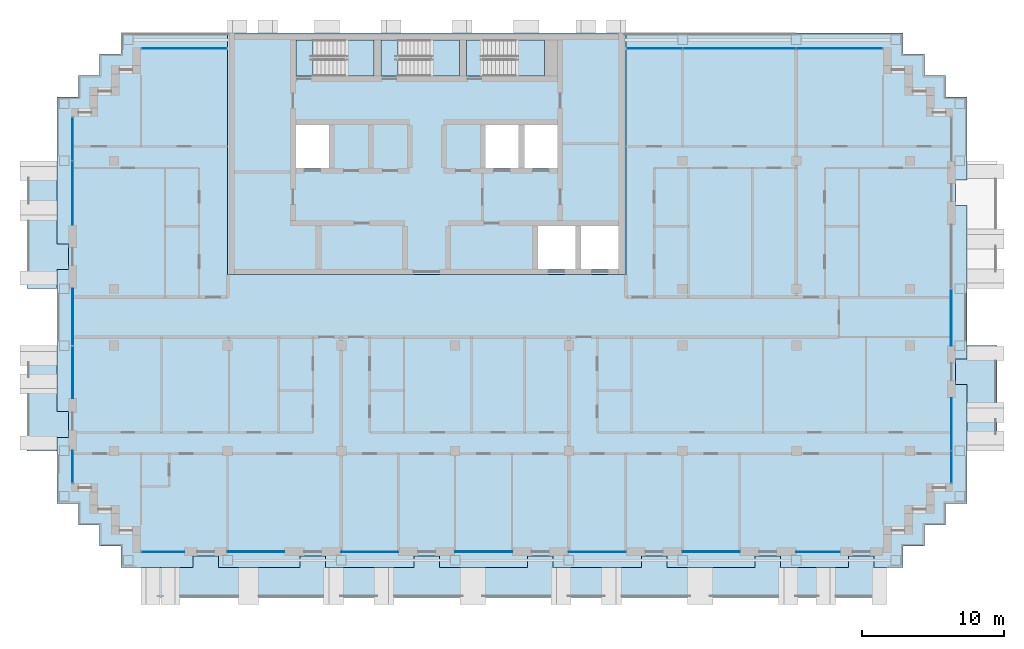
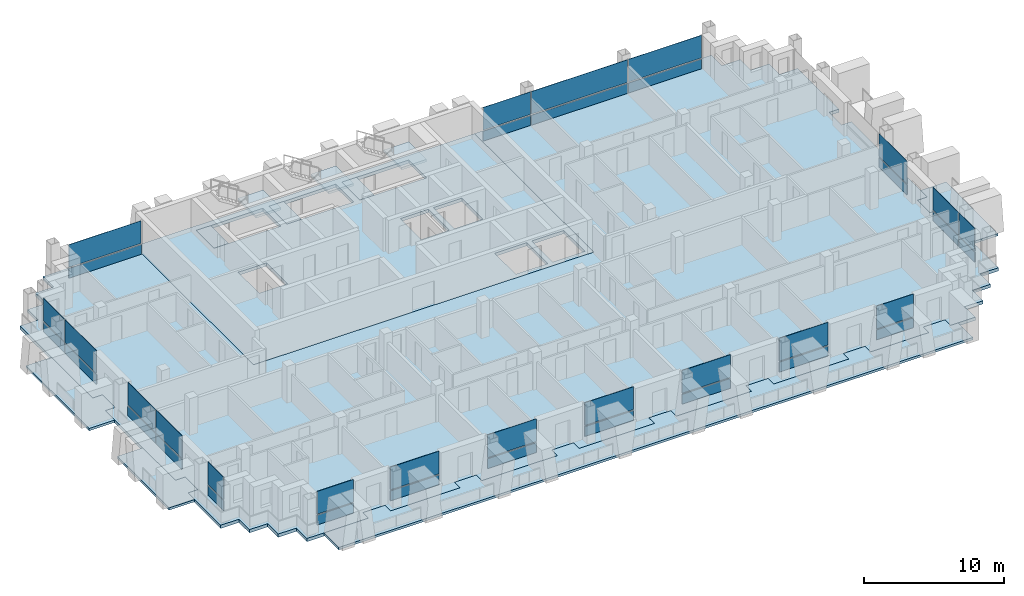
# One storey, part 6 of 16: 38 plates, 12 slabs, 17 elements without a shape of their own.
"""IFC4 building model written with IfcOpenShell, lengths in metres."""

from ifc_helpers import new_model, si_unit, direction, frame, origin, origin_2d, place, context, subcontext, project, spatial, polyline, rectangle, outline, extrude, material, layer, layer_set, type_object, element, aggregate, save


model = new_model("IFC4")

# Units and contexts
model_context = context("Model", 3, precision=1e-05, world=origin(), true_north=direction((0.0, 1.0)))
body_context = subcontext(model_context, "Body", "Model", "MODEL_VIEW")
ifc_project = project(units=[si_unit("LENGTHUNIT", "METRE"), si_unit("AREAUNIT", "SQUARE_METRE"), si_unit("VOLUMEUNIT", "CUBIC_METRE"), si_unit("PLANEANGLEUNIT", "RADIAN"), si_unit("MASSUNIT", "GRAM", prefix="KILO")], contexts=[model_context])

# Site, building, storey
site_placement = place(None, origin())
site = spatial("IfcSite", under=ifc_project, at=site_placement, CompositionType="ELEMENT")
building_placement = place(site_placement, origin())
building = spatial("IfcBuilding", under=site, at=building_placement, Name="Vidyagriha Tower", CompositionType="ELEMENT")
storey_placement = place(building_placement, frame((0.0, 0.0, 165.300048828125)))
storey = spatial("IfcBuildingStorey", under=building, at=storey_placement, Name="L42", CompositionType="ELEMENT", Elevation=165.300048828125)

# Curtain wall, plates
ifc_material_1 = material(Name="Aluminium and glass curtain wall", Category="aluminium")
curtain_wall_type = type_object("IfcCurtainWallType", Name="Dwelling skin unitised curtain wall", PredefinedType="USERDEFINED", material=ifc_material_1)
curtain_wall_1_placement = place(storey_placement, origin())
curtain_wall_1 = element("IfcCurtainWall", 1, at=curtain_wall_1_placement, inside=storey, type_object=curtain_wall_type, Name="CW1 dwelling skin", ObjectType="UNITISED", PredefinedType="USERDEFINED")
ifc_material_2 = material(Name="Glass dark ceramic-fritted spandrel", Category="glass")
ifc_layer_1 = layer(ifc_material_2, 0.0400390625)
ifc_layer_set_1 = layer_set([ifc_layer_1], Name="Glass dark ceramic-fritted spandrel")
plate_type_1 = type_object("IfcPlateType", Name="Ceramic-fritted spandrel panel", PredefinedType="CURTAIN_PANEL", material=ifc_layer_set_1)
plate_1_placement = place(storey_placement, frame((29.032470703125, 18.89990234375, 0.0), z_axis=(0.0, 0.0, 1.0), x_axis=(-1.0, 0.0, 0.0)))
plate_1 = element("IfcPlate", 2, at=plate_1_placement, type_object=plate_type_1, Name="CW1 panel 1.1", PredefinedType="CURTAIN_PANEL", context=body_context, shape_type="SweptSolid", body=[
    extrude(rectangle(XDim=5.9951171875, YDim=0.0400390625, at=origin_2d()), origin(), (0.0, 0.0, 1.0), 0.85009765625),
])
plate_2_placement = place(storey_placement, frame((16.017578125, 18.89990234375, 0.0), z_axis=(0.0, 0.0, 1.0), x_axis=(-1.0, 0.0, 0.0)))
plate_2 = element("IfcPlate", 3, at=plate_2_placement, type_object=plate_type_1, Name="CW1 panel 3.1", PredefinedType="CURTAIN_PANEL", context=body_context, shape_type="SweptSolid", body=[
    extrude(rectangle(XDim=3.89501953125, YDim=0.0400390625, at=origin_2d()), origin(), (0.0, 0.0, 1.0), 0.85009765625),
])

# Curtain wall, plate
curtain_wall_2_placement = place(storey_placement, origin())
curtain_wall_2 = element("IfcCurtainWall", 4, at=curtain_wall_2_placement, inside=storey, type_object=curtain_wall_type, Name="CW1 dwelling skin", ObjectType="UNITISED", PredefinedType="USERDEFINED")
plate_3_placement = place(storey_placement, frame((-17.050048828125, 18.89990234375, 0.0), z_axis=(0.0, 0.0, 1.0), x_axis=(-1.0, 0.0, 0.0)))
plate_3 = element("IfcPlate", 5, at=plate_3_placement, type_object=plate_type_1, Name="CW1 panel 1.1", PredefinedType="CURTAIN_PANEL", context=body_context, shape_type="SweptSolid", body=[
    extrude(rectangle(XDim=5.9599609375, YDim=0.0400390625, at=origin_2d()), origin(), (0.0, 0.0, 1.0), 0.85009765625),
])

# Curtain wall, plates
curtain_wall_3_placement = place(storey_placement, origin())
curtain_wall_3 = element("IfcCurtainWall", 6, at=curtain_wall_3_placement, inside=storey, type_object=curtain_wall_type, Name="CW1 dwelling skin", ObjectType="UNITISED", PredefinedType="USERDEFINED")
plate_4_placement = place(storey_placement, frame((-24.89990234375, 12.532470703125, 0.0), z_axis=(0.0, 0.0, 1.0), x_axis=(0.0, -1.0, 0.0)))
plate_4 = element("IfcPlate", 7, at=plate_4_placement, type_object=plate_type_1, Name="CW1 panel 1.1", PredefinedType="CURTAIN_PANEL", context=body_context, shape_type="SweptSolid", body=[
    extrude(rectangle(XDim=2.9951171875, YDim=0.0400390625, at=origin_2d()), origin(), (0.0, 0.0, 1.0), 0.85009765625),
])
plate_5_placement = place(storey_placement, frame((-24.89990234375, 8.732421875, 0.0), z_axis=(0.0, 0.0, 1.0), x_axis=(0.0, -1.0, 0.0)))
plate_5 = element("IfcPlate", 8, at=plate_5_placement, type_object=plate_type_1, Name="CW1 panel 2.1", PredefinedType="CURTAIN_PANEL", context=body_context, shape_type="SweptSolid", body=[
    extrude(rectangle(XDim=4.465087890625, YDim=0.0400390625, at=origin_2d()), origin(), (0.0, 0.0, 1.0), 0.85009765625),
])

# Curtain wall, plate
curtain_wall_4_placement = place(storey_placement, origin())
curtain_wall_4 = element("IfcCurtainWall", 9, at=curtain_wall_4_placement, inside=storey, type_object=curtain_wall_type, Name="CW1 dwelling skin", ObjectType="UNITISED", PredefinedType="USERDEFINED")
plate_6_placement = place(storey_placement, frame((-24.89990234375, -10.514892578125, 0.0), z_axis=(0.0, 0.0, 1.0), x_axis=(0.0, -1.0, 0.0)))
plate_6 = element("IfcPlate", 10, at=plate_6_placement, type_object=plate_type_1, Name="CW1 panel 1.1", PredefinedType="CURTAIN_PANEL", context=body_context, shape_type="SweptSolid", body=[
    extrude(rectangle(XDim=2.22998046875, YDim=0.0400390625, at=origin_2d()), origin(), (0.0, 0.0, 1.0), 0.85009765625),
])

curtain_wall_5_placement = place(storey_placement, origin())
curtain_wall_5 = element("IfcCurtainWall", 11, at=curtain_wall_5_placement, inside=storey, type_object=curtain_wall_type, Name="CW1 dwelling skin", ObjectType="UNITISED", PredefinedType="USERDEFINED")
plate_7_placement = place(storey_placement, frame((-18.5400390625, -16.5, 0.0)))
plate_7 = element("IfcPlate", 12, at=plate_7_placement, type_object=plate_type_1, Name="CW1 panel 1.1", PredefinedType="CURTAIN_PANEL", context=body_context, shape_type="SweptSolid", body=[
    extrude(rectangle(XDim=2.97998046875, YDim=0.0400390625, at=origin_2d()), origin(), (0.0, 0.0, 1.0), 0.85009765625),
])

curtain_wall_6_placement = place(storey_placement, origin())
curtain_wall_6 = element("IfcCurtainWall", 13, at=curtain_wall_6_placement, inside=storey, type_object=curtain_wall_type, Name="CW1 dwelling skin", ObjectType="UNITISED", PredefinedType="USERDEFINED")
plate_8_placement = place(storey_placement, frame((-4.0, -16.5, 0.0)))
plate_8 = element("IfcPlate", 14, at=plate_8_placement, type_object=plate_type_1, Name="CW1 panel 1.1", PredefinedType="CURTAIN_PANEL", context=body_context, shape_type="SweptSolid", body=[
    extrude(rectangle(XDim=4.0, YDim=0.0400390625, at=origin_2d()), origin(), (0.0, 0.0, 1.0), 0.85009765625),
])

curtain_wall_7_placement = place(storey_placement, origin())
curtain_wall_7 = element("IfcCurtainWall", 15, at=curtain_wall_7_placement, inside=storey, type_object=curtain_wall_type, Name="CW1 dwelling skin", ObjectType="UNITISED", PredefinedType="USERDEFINED")
plate_9_placement = place(storey_placement, frame((12.0, -16.5, 0.0)))
plate_9 = element("IfcPlate", 16, at=plate_9_placement, type_object=plate_type_1, Name="CW1 panel 1.1", PredefinedType="CURTAIN_PANEL", context=body_context, shape_type="SweptSolid", body=[
    extrude(rectangle(XDim=4.0, YDim=0.0400390625, at=origin_2d()), origin(), (0.0, 0.0, 1.0), 0.85009765625),
])

curtain_wall_8_placement = place(storey_placement, origin())
curtain_wall_8 = element("IfcCurtainWall", 17, at=curtain_wall_8_placement, inside=storey, type_object=curtain_wall_type, Name="CW1 dwelling skin", ObjectType="UNITISED", PredefinedType="USERDEFINED")
plate_10_placement = place(storey_placement, frame((27.52490234375, -16.5, 0.0)))
plate_10 = element("IfcPlate", 18, at=plate_10_placement, type_object=plate_type_1, Name="CW1 panel 1.1", PredefinedType="CURTAIN_PANEL", context=body_context, shape_type="SweptSolid", body=[
    extrude(rectangle(XDim=3.050048828125, YDim=0.0400390625, at=origin_2d()), origin(), (0.0, 0.0, 1.0), 0.85009765625),
])

# Curtain wall, plates
curtain_wall_9_placement = place(storey_placement, origin())
curtain_wall_9 = element("IfcCurtainWall", 19, at=curtain_wall_9_placement, inside=storey, type_object=curtain_wall_type, Name="CW1 dwelling skin", ObjectType="UNITISED", PredefinedType="USERDEFINED")
plate_11_placement = place(storey_placement, frame((36.89990234375, -10.532470703125, 0.0), z_axis=(0.0, 0.0, 1.0), x_axis=(0.0, 1.0, 0.0)))
plate_11 = element("IfcPlate", 20, at=plate_11_placement, type_object=plate_type_1, Name="CW1 panel 1.1", PredefinedType="CURTAIN_PANEL", context=body_context, shape_type="SweptSolid", body=[
    extrude(rectangle(XDim=2.195068359375, YDim=0.0400390625, at=origin_2d()), origin(), (0.0, 0.0, 1.0), 0.85009765625),
])
plate_12_placement = place(storey_placement, frame((36.89990234375, -7.532470703125, 0.0), z_axis=(0.0, 0.0, 1.0), x_axis=(0.0, 1.0, 0.0)))
plate_12 = element("IfcPlate", 21, at=plate_12_placement, type_object=plate_type_1, Name="CW1 panel 2.1", PredefinedType="CURTAIN_PANEL", context=body_context, shape_type="SweptSolid", body=[
    extrude(rectangle(XDim=3.6650390625, YDim=0.0400390625, at=origin_2d()), origin(), (0.0, 0.0, 1.0), 0.85009765625),
])

# Slab
ifc_material_3 = material(Name="Concrete C60/75", Category="concrete")
ifc_layer_2 = layer(ifc_material_3, 0.280029296875)
ifc_layer_set_2 = layer_set([ifc_layer_2], Name="Concrete C60/75")
slab_type_1 = type_object("IfcSlabType", Name="Core floor slab 280 mm", PredefinedType="FLOOR", material=ifc_layer_set_2)
slab_1_placement = place(storey_placement, frame((0.0, 0.0, -0.280029296875)))
element("IfcSlab", 22, at=slab_1_placement, inside=storey, type_object=slab_type_1, Name="L42 core floor 1", PredefinedType="FLOOR", context=body_context, shape_type="SweptSolid", body=[
    extrude(outline(polyline([(-14.0, 3.0), (-14.0, 20.0), (14.0, 20.0), (14.0, 3.0), (-14.0, 3.0)]), holes=[polyline([(13.5, 6.39990234375), (10.855712890625, 6.39990234375), (10.855712890625, 3.39990234375), (13.5, 3.39990234375), (13.5, 6.39990234375)]), polyline([(10.45556640625, 6.39990234375), (7.81103515625, 6.39990234375), (7.81103515625, 3.39990234375), (10.45556640625, 3.39990234375), (10.45556640625, 6.39990234375)]), polyline([(9.199951171875, 13.5), (6.86669921875, 13.5), (6.86669921875, 10.5), (9.199951171875, 10.5), (9.199951171875, 13.5)]), polyline([(2.800048828125, 19.5), (2.800048828125, 16.949951171875), (4.0, 16.949951171875), (8.300048828125, 16.949951171875), (8.300048828125, 19.5), (4.0, 19.5), (2.800048828125, 19.5)]), polyline([(4.13330078125, 13.5), (4.13330078125, 10.5), (6.466796875, 10.5), (6.466796875, 13.5), (4.13330078125, 13.5)]), polyline([(-2.0, 19.5), (-3.199951171875, 19.5), (-3.199951171875, 16.949951171875), (-2.0, 16.949951171875), (2.300048828125, 16.949951171875), (2.300048828125, 19.5), (-2.0, 19.5)]), polyline([(-9.199951171875, 19.5), (-9.199951171875, 16.949951171875), (-8.0, 16.949951171875), (-3.699951171875, 16.949951171875), (-3.699951171875, 19.5), (-8.0, 19.5), (-9.199951171875, 19.5)]), polyline([(-9.199951171875, 13.5), (-9.199951171875, 10.5), (-6.86669921875, 10.5), (-6.86669921875, 13.5), (-9.199951171875, 13.5)])]), origin(), (0.0, 0.0, 1.0), 0.280029296875),
])

# Plate
ifc_material_4 = material(Name="Glass dark ceramic-fritted", Category="glass")
ifc_layer_3 = layer(ifc_material_4, 0.028076171875)
ifc_layer_set_3 = layer_set([ifc_layer_3], Name="Glass dark ceramic-fritted")
plate_type_2 = type_object("IfcPlateType", Name="Dark ceramic-fritted vision glass panel", PredefinedType="CURTAIN_PANEL", material=ifc_layer_set_3)
plate_13_placement = place(storey_placement, frame((29.032470703125, 18.89990234375, 0.9501953125), z_axis=(0.0, 0.0, 1.0), x_axis=(-1.0, 0.0, 0.0)))
plate_13 = element("IfcPlate", 23, at=plate_13_placement, type_object=plate_type_2, Name="CW1 panel 1.2", PredefinedType="CURTAIN_PANEL", context=body_context, shape_type="SweptSolid", body=[
    extrude(rectangle(XDim=5.9951171875, YDim=0.028076171875, at=origin_2d()), origin(), (0.0, 0.0, 1.0), 1.969970703125),
])

plate_14_placement = place(storey_placement, frame((22.0, 18.89990234375, 0.9501953125), z_axis=(0.0, 0.0, 1.0), x_axis=(-1.0, 0.0, 0.0)))
plate_14 = element("IfcPlate", 24, at=plate_14_placement, type_object=plate_type_2, Name="CW1 panel 2.2", PredefinedType="CURTAIN_PANEL", context=body_context, shape_type="SweptSolid", body=[
    extrude(rectangle(XDim=7.929931640625, YDim=0.028076171875, at=origin_2d()), origin(), (0.0, 0.0, 1.0), 1.969970703125),
])

plate_15_placement = place(storey_placement, frame((16.017578125, 18.89990234375, 0.9501953125), z_axis=(0.0, 0.0, 1.0), x_axis=(-1.0, 0.0, 0.0)))
plate_15 = element("IfcPlate", 25, at=plate_15_placement, type_object=plate_type_2, Name="CW1 panel 3.2", PredefinedType="CURTAIN_PANEL", context=body_context, shape_type="SweptSolid", body=[
    extrude(rectangle(XDim=3.89501953125, YDim=0.028076171875, at=origin_2d()), origin(), (0.0, 0.0, 1.0), 1.969970703125),
])

plate_16_placement = place(storey_placement, frame((-17.050048828125, 18.89990234375, 0.9501953125), z_axis=(0.0, 0.0, 1.0), x_axis=(-1.0, 0.0, 0.0)))
plate_16 = element("IfcPlate", 26, at=plate_16_placement, type_object=plate_type_2, Name="CW1 panel 1.2", PredefinedType="CURTAIN_PANEL", context=body_context, shape_type="SweptSolid", body=[
    extrude(rectangle(XDim=5.9599609375, YDim=0.028076171875, at=origin_2d()), origin(), (0.0, 0.0, 1.0), 1.969970703125),
])

aggregate(curtain_wall_2, [plate_3, plate_16])

plate_17_placement = place(storey_placement, frame((-24.89990234375, 12.532470703125, 0.9501953125), z_axis=(0.0, 0.0, 1.0), x_axis=(0.0, -1.0, 0.0)))
plate_17 = element("IfcPlate", 27, at=plate_17_placement, type_object=plate_type_2, Name="CW1 panel 1.2", PredefinedType="CURTAIN_PANEL", context=body_context, shape_type="SweptSolid", body=[
    extrude(rectangle(XDim=2.9951171875, YDim=0.028076171875, at=origin_2d()), origin(), (0.0, 0.0, 1.0), 1.969970703125),
])

plate_18_placement = place(storey_placement, frame((-24.89990234375, 8.732421875, 0.9501953125), z_axis=(0.0, 0.0, 1.0), x_axis=(0.0, -1.0, 0.0)))
plate_18 = element("IfcPlate", 28, at=plate_18_placement, type_object=plate_type_2, Name="CW1 panel 2.2", PredefinedType="CURTAIN_PANEL", context=body_context, shape_type="SweptSolid", body=[
    extrude(rectangle(XDim=4.465087890625, YDim=0.028076171875, at=origin_2d()), origin(), (0.0, 0.0, 1.0), 1.969970703125),
])

aggregate(curtain_wall_3, [plate_4, plate_17, plate_5, plate_18])

# Curtain wall, plates
curtain_wall_10_placement = place(storey_placement, origin())
curtain_wall_10 = element("IfcCurtainWall", 29, at=curtain_wall_10_placement, inside=storey, type_object=curtain_wall_type, Name="CW1 dwelling skin", ObjectType="UNITISED", PredefinedType="USERDEFINED")
plate_19_placement = place(storey_placement, frame((-24.89990234375, 0.017578125, 0.9501953125), z_axis=(0.0, 0.0, 1.0), x_axis=(0.0, -1.0, 0.0)))
plate_19 = element("IfcPlate", 30, at=plate_19_placement, type_object=plate_type_2, Name="CW1 panel 1.2", PredefinedType="CURTAIN_PANEL", context=body_context, shape_type="SweptSolid", body=[
    extrude(rectangle(XDim=3.965087890625, YDim=0.028076171875, at=origin_2d()), origin(), (0.0, 0.0, 1.0), 1.969970703125),
])
plate_20_placement = place(storey_placement, frame((-24.89990234375, -3.867431640625, 0.9501953125), z_axis=(0.0, 0.0, 1.0), x_axis=(0.0, -1.0, 0.0)))
plate_20 = element("IfcPlate", 31, at=plate_20_placement, type_object=plate_type_2, Name="CW1 panel 2.2", PredefinedType="CURTAIN_PANEL", context=body_context, shape_type="SweptSolid", body=[
    extrude(rectangle(XDim=3.6650390625, YDim=0.028076171875, at=origin_2d()), origin(), (0.0, 0.0, 1.0), 1.969970703125),
])

# Plate
plate_21_placement = place(storey_placement, frame((-24.89990234375, -10.514892578125, 0.9501953125), z_axis=(0.0, 0.0, 1.0), x_axis=(0.0, -1.0, 0.0)))
plate_21 = element("IfcPlate", 32, at=plate_21_placement, type_object=plate_type_2, Name="CW1 panel 1.2", PredefinedType="CURTAIN_PANEL", context=body_context, shape_type="SweptSolid", body=[
    extrude(rectangle(XDim=2.22998046875, YDim=0.028076171875, at=origin_2d()), origin(), (0.0, 0.0, 1.0), 1.969970703125),
])

aggregate(curtain_wall_4, [plate_6, plate_21])

plate_22_placement = place(storey_placement, frame((-18.5400390625, -16.5, 0.9501953125)))
plate_22 = element("IfcPlate", 33, at=plate_22_placement, type_object=plate_type_2, Name="CW1 panel 1.2", PredefinedType="CURTAIN_PANEL", context=body_context, shape_type="SweptSolid", body=[
    extrude(rectangle(XDim=2.97998046875, YDim=0.028076171875, at=origin_2d()), origin(), (0.0, 0.0, 1.0), 1.969970703125),
])

aggregate(curtain_wall_5, [plate_7, plate_22])

# Curtain wall, plate
curtain_wall_11_placement = place(storey_placement, origin())
curtain_wall_11 = element("IfcCurtainWall", 34, at=curtain_wall_11_placement, inside=storey, type_object=curtain_wall_type, Name="CW1 dwelling skin", ObjectType="UNITISED", PredefinedType="USERDEFINED")
plate_23_placement = place(storey_placement, frame((-12.0, -16.5, 0.9501953125)))
plate_23 = element("IfcPlate", 35, at=plate_23_placement, type_object=plate_type_2, Name="CW1 panel 1.2", PredefinedType="CURTAIN_PANEL", context=body_context, shape_type="SweptSolid", body=[
    extrude(rectangle(XDim=4.0, YDim=0.028076171875, at=origin_2d()), origin(), (0.0, 0.0, 1.0), 1.969970703125),
])

# Plate
plate_24_placement = place(storey_placement, frame((-4.0, -16.5, 0.9501953125)))
plate_24 = element("IfcPlate", 36, at=plate_24_placement, type_object=plate_type_2, Name="CW1 panel 1.2", PredefinedType="CURTAIN_PANEL", context=body_context, shape_type="SweptSolid", body=[
    extrude(rectangle(XDim=4.0, YDim=0.028076171875, at=origin_2d()), origin(), (0.0, 0.0, 1.0), 1.969970703125),
])

aggregate(curtain_wall_6, [plate_8, plate_24])

# Curtain wall, plate
curtain_wall_12_placement = place(storey_placement, origin())
curtain_wall_12 = element("IfcCurtainWall", 37, at=curtain_wall_12_placement, inside=storey, type_object=curtain_wall_type, Name="CW1 dwelling skin", ObjectType="UNITISED", PredefinedType="USERDEFINED")
plate_25_placement = place(storey_placement, frame((4.0, -16.5, 0.9501953125)))
plate_25 = element("IfcPlate", 38, at=plate_25_placement, type_object=plate_type_2, Name="CW1 panel 1.2", PredefinedType="CURTAIN_PANEL", context=body_context, shape_type="SweptSolid", body=[
    extrude(rectangle(XDim=4.0, YDim=0.028076171875, at=origin_2d()), origin(), (0.0, 0.0, 1.0), 1.969970703125),
])

# Plate
plate_26_placement = place(storey_placement, frame((12.0, -16.5, 0.9501953125)))
plate_26 = element("IfcPlate", 39, at=plate_26_placement, type_object=plate_type_2, Name="CW1 panel 1.2", PredefinedType="CURTAIN_PANEL", context=body_context, shape_type="SweptSolid", body=[
    extrude(rectangle(XDim=4.0, YDim=0.028076171875, at=origin_2d()), origin(), (0.0, 0.0, 1.0), 1.969970703125),
])

aggregate(curtain_wall_7, [plate_9, plate_26])

# Curtain wall, plate
curtain_wall_13_placement = place(storey_placement, origin())
curtain_wall_13 = element("IfcCurtainWall", 40, at=curtain_wall_13_placement, inside=storey, type_object=curtain_wall_type, Name="CW1 dwelling skin", ObjectType="UNITISED", PredefinedType="USERDEFINED")
plate_27_placement = place(storey_placement, frame((20.0, -16.5, 0.9501953125)))
plate_27 = element("IfcPlate", 41, at=plate_27_placement, type_object=plate_type_2, Name="CW1 panel 1.2", PredefinedType="CURTAIN_PANEL", context=body_context, shape_type="SweptSolid", body=[
    extrude(rectangle(XDim=4.0, YDim=0.028076171875, at=origin_2d()), origin(), (0.0, 0.0, 1.0), 1.969970703125),
])

# Plate
plate_28_placement = place(storey_placement, frame((27.52490234375, -16.5, 0.9501953125)))
plate_28 = element("IfcPlate", 42, at=plate_28_placement, type_object=plate_type_2, Name="CW1 panel 1.2", PredefinedType="CURTAIN_PANEL", context=body_context, shape_type="SweptSolid", body=[
    extrude(rectangle(XDim=3.050048828125, YDim=0.028076171875, at=origin_2d()), origin(), (0.0, 0.0, 1.0), 1.969970703125),
])

aggregate(curtain_wall_8, [plate_10, plate_28])

plate_29_placement = place(storey_placement, frame((36.89990234375, -10.532470703125, 0.9501953125), z_axis=(0.0, 0.0, 1.0), x_axis=(0.0, 1.0, 0.0)))
plate_29 = element("IfcPlate", 43, at=plate_29_placement, type_object=plate_type_2, Name="CW1 panel 1.2", PredefinedType="CURTAIN_PANEL", context=body_context, shape_type="SweptSolid", body=[
    extrude(rectangle(XDim=2.195068359375, YDim=0.028076171875, at=origin_2d()), origin(), (0.0, 0.0, 1.0), 1.969970703125),
])

plate_30_placement = place(storey_placement, frame((36.89990234375, -7.532470703125, 0.9501953125), z_axis=(0.0, 0.0, 1.0), x_axis=(0.0, 1.0, 0.0)))
plate_30 = element("IfcPlate", 44, at=plate_30_placement, type_object=plate_type_2, Name="CW1 panel 2.2", PredefinedType="CURTAIN_PANEL", context=body_context, shape_type="SweptSolid", body=[
    extrude(rectangle(XDim=3.6650390625, YDim=0.028076171875, at=origin_2d()), origin(), (0.0, 0.0, 1.0), 1.969970703125),
])

aggregate(curtain_wall_9, [plate_11, plate_29, plate_12, plate_30])

# Curtain wall, plate
curtain_wall_14_placement = place(storey_placement, origin())
curtain_wall_14 = element("IfcCurtainWall", 45, at=curtain_wall_14_placement, inside=storey, type_object=curtain_wall_type, Name="CW1 dwelling skin", ObjectType="UNITISED", PredefinedType="USERDEFINED")
plate_31_placement = place(storey_placement, frame((36.89990234375, -0.017578125, 0.9501953125), z_axis=(0.0, 0.0, 1.0), x_axis=(0.0, 1.0, 0.0)))
plate_31 = element("IfcPlate", 46, at=plate_31_placement, type_object=plate_type_2, Name="CW1 panel 1.2", PredefinedType="CURTAIN_PANEL", context=body_context, shape_type="SweptSolid", body=[
    extrude(rectangle(XDim=3.965087890625, YDim=0.028076171875, at=origin_2d()), origin(), (0.0, 0.0, 1.0), 1.969970703125),
])

# Slabs
ifc_material_5 = material(Name="Concrete C40/50", Category="concrete")
ifc_layer_4 = layer(ifc_material_5, 0.280029296875)
ifc_layer_set_4 = layer_set([ifc_layer_4], Name="Concrete C40/50")
slab_type_2 = type_object("IfcSlabType", Name="Exit stair floor landing 280 mm", PredefinedType="LANDING", material=ifc_layer_set_4)
slab_2_placement = place(storey_placement, frame((0.0, 0.0, -0.280029296875)))
element("IfcSlab", 47, at=slab_2_placement, inside=storey, type_object=slab_type_2, Name="ST1 floor landing L42", PredefinedType="LANDING", context=body_context, shape_type="SweptSolid", body=[
    extrude(outline(polyline([(-9.199951171875, 16.949951171875), (-8.0, 16.949951171875), (-8.0, 19.5), (-9.199951171875, 19.5), (-9.199951171875, 16.949951171875)])), origin(), (0.0, 0.0, 1.0), 0.280029296875),
])
slab_3_placement = place(storey_placement, frame((0.0, 0.0, -0.280029296875)))
element("IfcSlab", 48, at=slab_3_placement, inside=storey, type_object=slab_type_2, Name="ST2 floor landing L42", PredefinedType="LANDING", context=body_context, shape_type="SweptSolid", body=[
    extrude(outline(polyline([(-3.199951171875, 16.949951171875), (-2.0, 16.949951171875), (-2.0, 19.5), (-3.199951171875, 19.5), (-3.199951171875, 16.949951171875)])), origin(), (0.0, 0.0, 1.0), 0.280029296875),
])
slab_4_placement = place(storey_placement, frame((0.0, 0.0, -0.280029296875)))
element("IfcSlab", 49, at=slab_4_placement, inside=storey, type_object=slab_type_2, Name="ST3 floor landing L42", PredefinedType="LANDING", context=body_context, shape_type="SweptSolid", body=[
    extrude(outline(polyline([(2.800048828125, 16.949951171875), (4.0, 16.949951171875), (4.0, 19.5), (2.800048828125, 19.5), (2.800048828125, 16.949951171875)])), origin(), (0.0, 0.0, 1.0), 0.280029296875),
])

# Stair, slab
ifc_material_6 = material(Name="Concrete C40/50", Category="concrete")
stair_type = type_object("IfcStairType", Name="Exit stair, half-turn, precast flights", PredefinedType="HALF_TURN_STAIR", material=ifc_material_6)
stair_1_placement = place(storey_placement, origin())
stair_1 = element("IfcStair", 50, at=stair_1_placement, inside=storey, type_object=stair_type, Name="L42 Exit Stair ST1", PredefinedType="HALF_TURN_STAIR")
ifc_material_7 = material(Name="Concrete C40/50", Category="concrete")
ifc_layer_5 = layer(ifc_material_7, 0.199951171875)
ifc_layer_set_5 = layer_set([ifc_layer_5], Name="Concrete C40/50")
slab_type_3 = type_object("IfcSlabType", Name="Exit stair landing 200 mm", PredefinedType="LANDING", material=ifc_layer_set_5)
slab_5_placement = place(storey_placement, frame((0.0, 0.0, 1.39990234375)))
slab_5 = element("IfcSlab", 51, at=slab_5_placement, type_object=slab_type_3, Name="ST1 landing 1", PredefinedType="LANDING", context=body_context, shape_type="SweptSolid", body=[
    extrude(outline(polyline([(-5.760009765625, 16.949951171875), (-3.699951171875, 16.949951171875), (-3.699951171875, 19.5), (-5.760009765625, 19.5), (-5.760009765625, 16.949951171875)])), origin(), (0.0, 0.0, 1.0), 0.199951171875),
])
aggregate(stair_1, [slab_5])

stair_2_placement = place(storey_placement, origin())
stair_2 = element("IfcStair", 52, at=stair_2_placement, inside=storey, type_object=stair_type, Name="L42 Exit Stair ST2", PredefinedType="HALF_TURN_STAIR")
slab_6_placement = place(storey_placement, frame((0.0, 0.0, 1.39990234375)))
slab_6 = element("IfcSlab", 53, at=slab_6_placement, type_object=slab_type_3, Name="ST2 landing 1", PredefinedType="LANDING", context=body_context, shape_type="SweptSolid", body=[
    extrude(outline(polyline([(0.239990234375, 16.949951171875), (2.300048828125, 16.949951171875), (2.300048828125, 19.5), (0.239990234375, 19.5), (0.239990234375, 16.949951171875)])), origin(), (0.0, 0.0, 1.0), 0.199951171875),
])
aggregate(stair_2, [slab_6])

stair_3_placement = place(storey_placement, origin())
stair_3 = element("IfcStair", 54, at=stair_3_placement, inside=storey, type_object=stair_type, Name="L42 Exit Stair ST3", PredefinedType="HALF_TURN_STAIR")
slab_7_placement = place(storey_placement, frame((0.0, 0.0, 1.39990234375)))
slab_7 = element("IfcSlab", 55, at=slab_7_placement, type_object=slab_type_3, Name="ST3 landing 1", PredefinedType="LANDING", context=body_context, shape_type="SweptSolid", body=[
    extrude(outline(polyline([(6.239990234375, 16.949951171875), (8.300048828125, 16.949951171875), (8.300048828125, 19.5), (6.239990234375, 19.5), (6.239990234375, 16.949951171875)])), origin(), (0.0, 0.0, 1.0), 0.199951171875),
])
aggregate(stair_3, [slab_7])

# Plate
ifc_material_8 = material(Name="Aluminium black anodised", Category="aluminium")
ifc_layer_6 = layer(ifc_material_8, 0.06005859375)
ifc_layer_set_6 = layer_set([ifc_layer_6], Name="Aluminium black anodised")
plate_type_3 = type_object("IfcPlateType", Name="Operable black-metal vent panel", PredefinedType="CURTAIN_PANEL", material=ifc_layer_set_6)
plate_32_placement = place(storey_placement, frame((22.0, 18.89990234375, 0.0), z_axis=(0.0, 0.0, 1.0), x_axis=(-1.0, 0.0, 0.0)))
plate_32 = element("IfcPlate", 56, at=plate_32_placement, type_object=plate_type_3, Name="CW1 panel 2.1", PredefinedType="CURTAIN_PANEL", context=body_context, shape_type="SweptSolid", body=[
    extrude(rectangle(XDim=7.929931640625, YDim=0.06005859375, at=origin_2d()), origin(), (0.0, 0.0, 1.0), 0.85009765625),
])

aggregate(curtain_wall_1, [plate_1, plate_13, plate_32, plate_14, plate_2, plate_15])

plate_33_placement = place(storey_placement, frame((-24.89990234375, 0.017578125, 0.0), z_axis=(0.0, 0.0, 1.0), x_axis=(0.0, -1.0, 0.0)))
plate_33 = element("IfcPlate", 57, at=plate_33_placement, type_object=plate_type_3, Name="CW1 panel 1.1", PredefinedType="CURTAIN_PANEL", context=body_context, shape_type="SweptSolid", body=[
    extrude(rectangle(XDim=3.965087890625, YDim=0.06005859375, at=origin_2d()), origin(), (0.0, 0.0, 1.0), 0.85009765625),
])

plate_34_placement = place(storey_placement, frame((-24.89990234375, -3.867431640625, 0.0), z_axis=(0.0, 0.0, 1.0), x_axis=(0.0, -1.0, 0.0)))
plate_34 = element("IfcPlate", 58, at=plate_34_placement, type_object=plate_type_3, Name="CW1 panel 2.1", PredefinedType="CURTAIN_PANEL", context=body_context, shape_type="SweptSolid", body=[
    extrude(rectangle(XDim=3.6650390625, YDim=0.06005859375, at=origin_2d()), origin(), (0.0, 0.0, 1.0), 0.85009765625),
])

aggregate(curtain_wall_10, [plate_33, plate_19, plate_34, plate_20])

plate_35_placement = place(storey_placement, frame((-12.0, -16.5, 0.0)))
plate_35 = element("IfcPlate", 59, at=plate_35_placement, type_object=plate_type_3, Name="CW1 panel 1.1", PredefinedType="CURTAIN_PANEL", context=body_context, shape_type="SweptSolid", body=[
    extrude(rectangle(XDim=4.0, YDim=0.06005859375, at=origin_2d()), origin(), (0.0, 0.0, 1.0), 0.85009765625),
])

aggregate(curtain_wall_11, [plate_35, plate_23])

plate_36_placement = place(storey_placement, frame((4.0, -16.5, 0.0)))
plate_36 = element("IfcPlate", 60, at=plate_36_placement, type_object=plate_type_3, Name="CW1 panel 1.1", PredefinedType="CURTAIN_PANEL", context=body_context, shape_type="SweptSolid", body=[
    extrude(rectangle(XDim=4.0, YDim=0.06005859375, at=origin_2d()), origin(), (0.0, 0.0, 1.0), 0.85009765625),
])

aggregate(curtain_wall_12, [plate_36, plate_25])

plate_37_placement = place(storey_placement, frame((20.0, -16.5, 0.0)))
plate_37 = element("IfcPlate", 61, at=plate_37_placement, type_object=plate_type_3, Name="CW1 panel 1.1", PredefinedType="CURTAIN_PANEL", context=body_context, shape_type="SweptSolid", body=[
    extrude(rectangle(XDim=4.0, YDim=0.06005859375, at=origin_2d()), origin(), (0.0, 0.0, 1.0), 0.85009765625),
])

aggregate(curtain_wall_13, [plate_37, plate_27])

plate_38_placement = place(storey_placement, frame((36.89990234375, -0.017578125, 0.0), z_axis=(0.0, 0.0, 1.0), x_axis=(0.0, 1.0, 0.0)))
plate_38 = element("IfcPlate", 62, at=plate_38_placement, type_object=plate_type_3, Name="CW1 panel 1.1", PredefinedType="CURTAIN_PANEL", context=body_context, shape_type="SweptSolid", body=[
    extrude(rectangle(XDim=3.965087890625, YDim=0.06005859375, at=origin_2d()), origin(), (0.0, 0.0, 1.0), 0.85009765625),
])

aggregate(curtain_wall_14, [plate_38, plate_31])

# Slabs
ifc_material_9 = material(Name="Concrete C50/60", Category="concrete")
ifc_layer_7 = layer(ifc_material_9, 0.280029296875)
ifc_layer_set_7 = layer_set([ifc_layer_7], Name="Concrete C50/60")
slab_type_4 = type_object("IfcSlabType", Name="Post-tensioned flat plate 280", PredefinedType="FLOOR", material=ifc_layer_set_7)
slab_8_placement = place(storey_placement, frame((0.0, 0.0, -0.280029296875)))
element("IfcSlab", 63, at=slab_8_placement, inside=storey, type_object=slab_type_4, Name="st-slab-L42-1", PredefinedType="FLOOR", context=body_context, shape_type="SweptSolid", body=[
    extrude(outline(polyline([(36.5, -14.60009765625), (35.0, -14.60009765625), (35.0, -16.10009765625), (33.5, -16.10009765625), (33.5, -17.60009765625), (31.47509765625, -17.60009765625), (31.47509765625, -16.800048828125), (29.675048828125, -16.800048828125), (29.675048828125, -17.60009765625), (24.89990234375, -17.60009765625), (24.89990234375, -16.800048828125), (23.10009765625, -16.800048828125), (23.10009765625, -17.60009765625), (16.89990234375, -17.60009765625), (16.89990234375, -16.800048828125), (15.10009765625, -16.800048828125), (15.10009765625, -17.60009765625), (8.89990234375, -17.60009765625), (8.89990234375, -16.800048828125), (7.10009765625, -16.800048828125), (7.10009765625, -17.60009765625), (0.89990234375, -17.60009765625), (0.89990234375, -16.800048828125), (-0.89990234375, -16.800048828125), (-0.89990234375, -17.60009765625), (-7.10009765625, -17.60009765625), (-7.10009765625, -16.800048828125), (-8.89990234375, -16.800048828125), (-8.89990234375, -17.60009765625), (-14.625, -17.60009765625), (-14.625, -16.800048828125), (-16.425048828125, -16.800048828125), (-16.425048828125, -17.60009765625), (-21.5, -17.60009765625), (-21.5, -16.10009765625), (-23.0, -16.10009765625), (-23.0, -14.60009765625), (-24.5, -14.60009765625), (-24.5, -13.10009765625), (-26.0, -13.10009765625), (-26.0, -8.449951171875), (-25.199951171875, -8.449951171875), (-25.199951171875, -6.64990234375), (-26.0, -6.64990234375), (-26.0, 3.35009765625), (-25.199951171875, 3.35009765625), (-25.199951171875, 5.14990234375), (-26.0, 5.14990234375), (-26.0, 15.5), (-24.5, 15.5), (-24.5, 17.0), (-23.0, 17.0), (-23.0, 18.5), (-21.5, 18.5), (-21.5, 20.0), (-14.0, 20.0), (-14.0, 3.0), (14.0, 3.0), (14.0, 20.0), (33.5, 20.0), (33.5, 18.5), (35.0, 18.5), (35.0, 17.0), (36.5, 17.0), (36.5, 15.5), (38.0, 15.5), (38.0, 9.64990234375), (37.199951171875, 9.64990234375), (37.199951171875, 7.85009765625), (38.0, 7.85009765625), (38.0, -2.949951171875), (37.199951171875, -2.949951171875), (37.199951171875, -4.75), (38.0, -4.75), (38.0, -13.10009765625), (36.5, -13.10009765625), (36.5, -14.60009765625)])), origin(), (0.0, 0.0, 1.0), 0.280029296875),
])
ifc_material_10 = material(Name="Precast concrete C40/50", Category="concrete")
ifc_layer_8 = layer(ifc_material_10, 0.199951171875)
ifc_layer_set_8 = layer_set([ifc_layer_8], Name="Precast concrete C40/50")
slab_type_5 = type_object("IfcSlabType", Name="Precast balcony slab 200", PredefinedType="USERDEFINED", material=ifc_layer_set_8)
slab_9_placement = place(storey_placement, frame((0.0, 0.0, -0.199951171875)))
element("IfcSlab", 64, at=slab_9_placement, inside=storey, type_object=slab_type_5, Name="Balcony slab L42 R16.1-1", ObjectType="BALCONY", PredefinedType="USERDEFINED", context=body_context, shape_type="SweptSolid", body=[
    extrude(outline(polyline([(-25.199951171875, 3.35009765625), (-25.199951171875, 5.14990234375), (-26.0, 5.14990234375), (-26.0, 11.0), (-28.10009765625, 11.0), (-28.10009765625, 2.0), (-26.0, 2.0), (-26.0, 3.35009765625), (-25.199951171875, 3.35009765625)])), origin(), (0.0, 0.0, 1.0), 0.199951171875),
])
slab_10_placement = place(storey_placement, frame((0.0, 0.0, -0.199951171875)))
element("IfcSlab", 65, at=slab_10_placement, inside=storey, type_object=slab_type_5, Name="Balcony slab L42 R16.2-2", ObjectType="BALCONY", PredefinedType="USERDEFINED", context=body_context, shape_type="SweptSolid", body=[
    extrude(outline(polyline([(-25.199951171875, -8.449951171875), (-25.199951171875, -6.64990234375), (-26.0, -6.64990234375), (-26.0, -2.0), (-28.10009765625, -2.0), (-28.10009765625, -9.39990234375), (-26.0, -9.39990234375), (-26.0, -8.449951171875), (-25.199951171875, -8.449951171875)])), origin(), (0.0, 0.0, 1.0), 0.199951171875),
])
slab_11_placement = place(storey_placement, frame((0.0, 0.0, -0.199951171875)))
element("IfcSlab", 66, at=slab_11_placement, inside=storey, type_object=slab_type_5, Name="Balcony slab L42 R23.1-7", ObjectType="BALCONY", PredefinedType="USERDEFINED", context=body_context, shape_type="SweptSolid", body=[
    extrude(outline(polyline([(-14.625, -16.800048828125), (-16.425048828125, -16.800048828125), (-16.425048828125, -17.60009765625), (-20.10009765625, -17.60009765625), (-20.10009765625, -19.699951171875), (32.10009765625, -19.699951171875), (32.10009765625, -17.60009765625), (31.47509765625, -17.60009765625), (31.47509765625, -16.800048828125), (29.675048828125, -16.800048828125), (29.675048828125, -17.60009765625), (24.89990234375, -17.60009765625), (24.89990234375, -16.800048828125), (23.10009765625, -16.800048828125), (23.10009765625, -17.60009765625), (16.89990234375, -17.60009765625), (16.89990234375, -16.800048828125), (15.10009765625, -16.800048828125), (15.10009765625, -17.60009765625), (8.89990234375, -17.60009765625), (8.89990234375, -16.800048828125), (7.10009765625, -16.800048828125), (7.10009765625, -17.60009765625), (0.89990234375, -17.60009765625), (0.89990234375, -16.800048828125), (-0.89990234375, -16.800048828125), (-0.89990234375, -17.60009765625), (-7.10009765625, -17.60009765625), (-7.10009765625, -16.800048828125), (-8.89990234375, -16.800048828125), (-8.89990234375, -17.60009765625), (-14.625, -17.60009765625), (-14.625, -16.800048828125)])), origin(), (0.0, 0.0, 1.0), 0.199951171875),
])
slab_12_placement = place(storey_placement, frame((0.0, 0.0, -0.199951171875)))
element("IfcSlab", 67, at=slab_12_placement, inside=storey, type_object=slab_type_5, Name="Balcony slab L42 R30.1-1", ObjectType="BALCONY", PredefinedType="USERDEFINED", context=body_context, shape_type="SweptSolid", body=[
    extrude(outline(polyline([(38.0, -4.75), (38.0, -9.39990234375), (40.10009765625, -9.39990234375), (40.10009765625, -2.0), (38.0, -2.0), (38.0, -2.949951171875), (37.199951171875, -2.949951171875), (37.199951171875, -4.75), (38.0, -4.75)])), origin(), (0.0, 0.0, 1.0), 0.199951171875),
])

save(model, "model.ifc")
